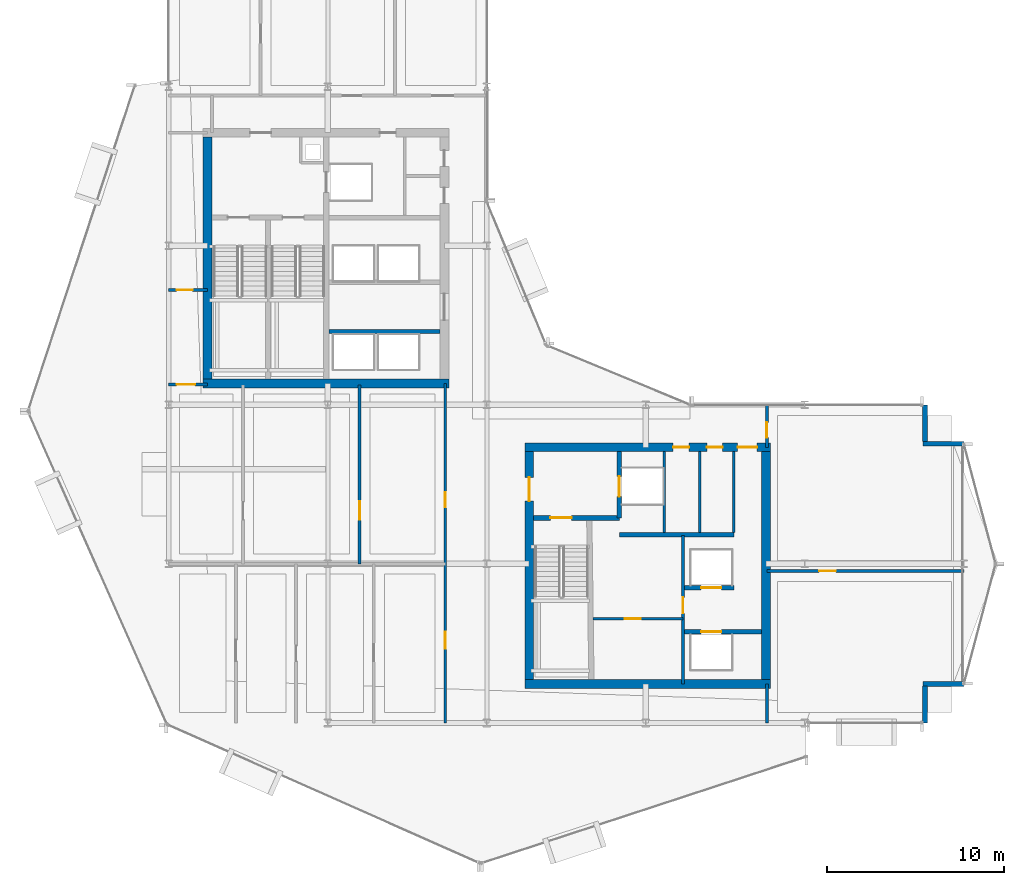
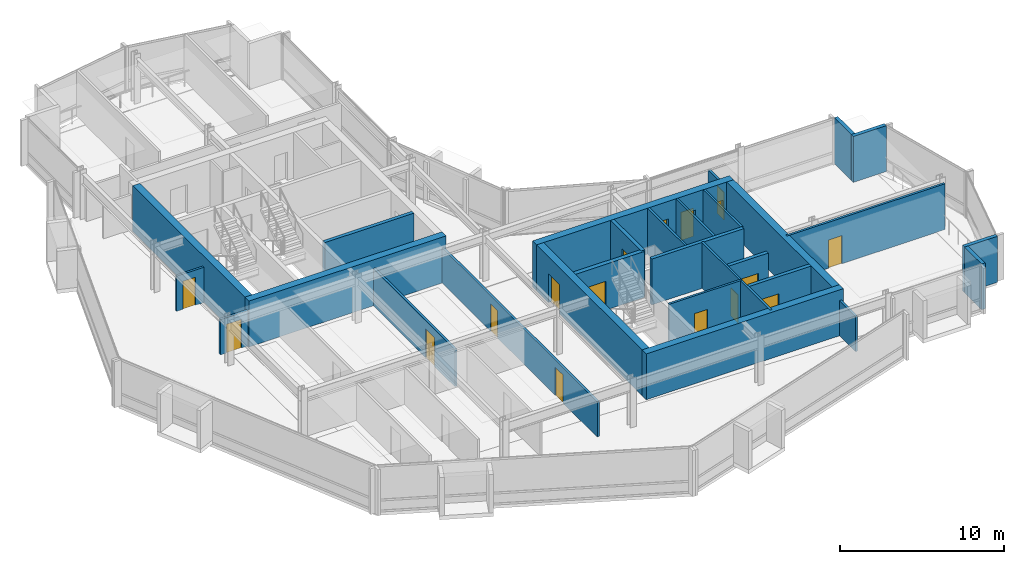
# One storey, part 22 of 28: 28 walls, 17 doors, 17 openings.
"""IFC4 building model written with IfcOpenShell, lengths in metres."""

from ifc_helpers import new_model, si_unit, direction, frame, frame_2d, origin, place, context, subcontext, project, spatial, rectangle, extrude, material, layer, layer_set, type_object, element, fill, save


model = new_model("IFC4")

# Units and contexts
model_context = context("Model", 3, precision=1e-05, world=origin(), true_north=direction((0.0, 1.0)))
body_context = subcontext(model_context, "Body", "Model", "MODEL_VIEW")
ifc_project = project(units=[si_unit("LENGTHUNIT", "METRE"), si_unit("AREAUNIT", "SQUARE_METRE"), si_unit("VOLUMEUNIT", "CUBIC_METRE"), si_unit("PLANEANGLEUNIT", "RADIAN"), si_unit("MASSUNIT", "GRAM", prefix="KILO")], contexts=[model_context])

# Site, building, storey
site_placement = place(None, origin())
site = spatial("IfcSite", under=ifc_project, at=site_placement, CompositionType="ELEMENT")
building_placement = place(site_placement, origin())
building = spatial("IfcBuilding", under=site, at=building_placement, Name="Solvaryn Broadcast Tower", CompositionType="ELEMENT")
storey_placement = place(building_placement, frame((0.0, 0.0, 154.39990234375)))
storey = spatial("IfcBuildingStorey", under=building, at=storey_placement, Name="L38", CompositionType="ELEMENT", Elevation=154.39990234375)

# Walls
ifc_material_1 = material(Name="Concrete f'c 70 MPa", Category="concrete")
ifc_layer_1 = layer(ifc_material_1, 0.5)
ifc_layer_set_1 = layer_set([ifc_layer_1], Name="CW-SHEAR-500")
wall_type_1 = type_object("IfcWallType", Name="CW-SHEAR-500", PredefinedType="SHEAR", material=ifc_layer_set_1)
wall_1_placement = place(storey_placement, frame((10.949951171875, 28.199951171875, 0.0), z_axis=(0.0, 0.0, 1.0), x_axis=(1.0, 0.0, 0.0)))
element("IfcWall", 1, at=wall_1_placement, inside=storey, type_object=wall_type_1, Name="L38 West Core South Shear Wall", PredefinedType="SHEAR", context=body_context, shape_type="SweptSolid", body=[
    extrude(rectangle(XDim=13.900146484375, YDim=0.5, at=frame_2d((6.9501953125, 0.0))), origin(), (0.0, 0.0, 1.0), 3.420166015625),
])
wall_2_placement = place(storey_placement, frame((11.199951171875, 42.14990234375, 0.0), z_axis=(0.0, 0.0, 1.0), x_axis=(0.0, -1.0, 0.0)))
element("IfcWall", 2, at=wall_2_placement, inside=storey, type_object=wall_type_1, Name="L38 West Core West Shear Wall", PredefinedType="SHEAR", context=body_context, shape_type="SweptSolid", body=[
    extrude(rectangle(XDim=13.699951171875, YDim=0.5, at=frame_2d((6.85009765625, 0.0))), origin(), (0.0, 0.0, 1.0), 3.420166015625),
])
wall_3_placement = place(storey_placement, frame((29.14990234375, 11.199951171875, 0.0), z_axis=(0.0, 0.0, 1.0), x_axis=(1.0, 0.0, 0.0)))
element("IfcWall", 3, at=wall_3_placement, inside=storey, type_object=wall_type_1, Name="L38 East Core South Shear Wall", PredefinedType="SHEAR", context=body_context, shape_type="SweptSolid", body=[
    extrude(rectangle(XDim=13.900146484375, YDim=0.5, at=frame_2d((6.9501953125, 0.0))), origin(), (0.0, 0.0, 1.0), 3.420166015625),
])

# Wall, openings, doors
wall_4_placement = place(storey_placement, frame((43.050048828125, 24.60009765625, 0.0), z_axis=(0.0, 0.0, 1.0), x_axis=(-1.0, 0.0, 0.0)))
wall_4 = element("IfcWall", 4, at=wall_4_placement, inside=storey, type_object=wall_type_1, Name="L38 East Core North Shear Wall", PredefinedType="SHEAR", context=body_context, shape_type="SweptSolid", body=[
    extrude(rectangle(XDim=13.900146484375, YDim=0.5, at=frame_2d((6.9501953125, 0.0))), origin(), (0.0, 0.0, 1.0), 3.420166015625),
])
opening_1_placement = place(wall_4_placement, frame((0.75, 0.0, 0.0)))
opening_1 = element("IfcOpeningElement", 5, at=opening_1_placement, cuts=wall_4, Name="Opening FD90C", PredefinedType="OPENING", context=body_context, shape_type="SweptSolid", body=[
    extrude(rectangle(XDim=1.10009765625, YDim=2.14990234375, at=frame_2d((0.550048828125, 1.074951171875))), frame((0.0, 0.260009765625, 0.0), z_axis=(0.0, -1.0, 0.0), x_axis=(1.0, 0.0, 0.0)), (0.0, 0.0, 1.0), 0.52001953125),
])
opening_2_placement = place(wall_4_placement, frame((2.699951171875, 0.0, 0.0)))
opening_2 = element("IfcOpeningElement", 6, at=opening_2_placement, cuts=wall_4, Name="Opening FD60C", PredefinedType="OPENING", context=body_context, shape_type="SweptSolid", body=[
    extrude(rectangle(XDim=0.89990234375, YDim=2.10009765625, at=frame_2d((0.449951171875, 1.050048828125))), frame((0.0, 0.260009765625, 0.0), z_axis=(0.0, -1.0, 0.0), x_axis=(1.0, 0.0, 0.0)), (0.0, 0.0, 1.0), 0.52001953125),
])
opening_3_placement = place(wall_4_placement, frame((4.60009765625, 0.0, 0.0)))
opening_3 = element("IfcOpeningElement", 7, at=opening_3_placement, cuts=wall_4, Name="Opening FD60C", PredefinedType="OPENING", context=body_context, shape_type="SweptSolid", body=[
    extrude(rectangle(XDim=0.89990234375, YDim=2.10009765625, at=frame_2d((0.449951171875, 1.050048828125))), frame((0.0, 0.260009765625, 0.0), z_axis=(0.0, -1.0, 0.0), x_axis=(1.0, 0.0, 0.0)), (0.0, 0.0, 1.0), 0.52001953125),
])
ifc_material_2 = material(Name="Flush Acoustic Steel and Timber Door Assembly", Category="steel")
door_type_1 = type_object("IfcDoorType", Name="FD60-SERV-900X2100", OperationType="NOTDEFINED", PredefinedType="DOOR", material=ifc_material_2)
door_1_placement = place(opening_2_placement, origin())
door_1 = element("IfcDoor", 8, at=door_1_placement, inside=storey, type_object=door_type_1, Name="L38 Staff Restroom Door", OperationType="SINGLE_SWING_LEFT", OverallHeight=2.10009765625, OverallWidth=0.89990234375, PredefinedType="DOOR", context=body_context, shape_type="SweptSolid", body=[
    extrude(rectangle(XDim=0.89990234375, YDim=2.10009765625, at=frame_2d((0.449951171875, 1.050048828125))), frame((0.0, 0.02490234375, 0.0), z_axis=(0.0, -1.0, 0.0), x_axis=(1.0, 0.0, 0.0)), (0.0, 0.0, 1.0), 0.050048828125),
])
fill(opening_2, door_1)
door_2_placement = place(opening_3_placement, origin())
door_2 = element("IfcDoor", 9, at=door_2_placement, inside=storey, type_object=door_type_1, Name="L38 Accessible WC Door", OperationType="SINGLE_SWING_RIGHT", OverallHeight=2.10009765625, OverallWidth=0.89990234375, PredefinedType="DOOR", context=body_context, shape_type="SweptSolid", body=[
    extrude(rectangle(XDim=0.89990234375, YDim=2.10009765625, at=frame_2d((0.449951171875, 1.050048828125))), frame((0.0, 0.02490234375, 0.0), z_axis=(0.0, -1.0, 0.0), x_axis=(1.0, 0.0, 0.0)), (0.0, 0.0, 1.0), 0.050048828125),
])
fill(opening_3, door_2)
ifc_material_3 = material(Name="Flush Acoustic Steel and Timber Door Assembly", Category="steel")
door_type_2 = type_object("IfcDoorType", Name="FD90-PLANT-1100X2150", OperationType="NOTDEFINED", PredefinedType="DOOR", material=ifc_material_3)
door_3_placement = place(opening_1_placement, origin())
door_3 = element("IfcDoor", 10, at=door_3_placement, inside=storey, type_object=door_type_2, Name="L38 East Core Lobby Corridor Door", OperationType="SINGLE_SWING_LEFT", OverallHeight=2.14990234375, OverallWidth=1.10009765625, PredefinedType="DOOR", context=body_context, shape_type="SweptSolid", body=[
    extrude(rectangle(XDim=1.10009765625, YDim=2.14990234375, at=frame_2d((0.550048828125, 1.074951171875))), frame((0.0, 0.02490234375, 0.0), z_axis=(0.0, -1.0, 0.0), x_axis=(1.0, 0.0, 0.0)), (0.0, 0.0, 1.0), 0.050048828125),
])
fill(opening_1, door_3)

# Wall, opening, door
wall_5_placement = place(storey_placement, frame((29.39990234375, 24.35009765625, 0.0), z_axis=(0.0, 0.0, 1.0), x_axis=(0.0, -1.0, 0.0)))
wall_5 = element("IfcWall", 11, at=wall_5_placement, inside=storey, type_object=wall_type_1, Name="L38 East Core West Shear Wall", PredefinedType="SHEAR", context=body_context, shape_type="SweptSolid", body=[
    extrude(rectangle(XDim=12.900146484375, YDim=0.5, at=frame_2d((6.4501953125, 0.0))), origin(), (0.0, 0.0, 1.0), 3.420166015625),
])
opening_4_placement = place(wall_5_placement, frame((1.449951171875, 0.0, 0.0)))
opening_4 = element("IfcOpeningElement", 12, at=opening_4_placement, cuts=wall_5, Name="Opening FD90B", PredefinedType="OPENING", context=body_context, shape_type="SweptSolid", body=[
    extrude(rectangle(XDim=1.35009765625, YDim=2.14990234375, at=frame_2d((0.675048828125, 1.074951171875))), frame((0.0, 0.260009765625, 0.0), z_axis=(0.0, -1.0, 0.0), x_axis=(1.0, 0.0, 0.0)), (0.0, 0.0, 1.0), 0.52001953125),
])
ifc_material_4 = material(Name="Flush Acoustic Steel and Timber Door Assembly", Category="steel")
door_type_3 = type_object("IfcDoorType", Name="FD90-LOBBY-1350X2150", OperationType="NOTDEFINED", PredefinedType="DOOR", material=ifc_material_4)
door_4_placement = place(opening_4_placement, origin())
door_4 = element("IfcDoor", 13, at=door_4_placement, inside=storey, type_object=door_type_3, Name="L38 East FSAE Lobby Door", OperationType="SINGLE_SWING_RIGHT", OverallHeight=2.14990234375, OverallWidth=1.35009765625, PredefinedType="DOOR", context=body_context, shape_type="SweptSolid", body=[
    extrude(rectangle(XDim=1.35009765625, YDim=2.14990234375, at=frame_2d((0.675048828125, 1.074951171875))), frame((0.0, 0.02490234375, 0.0), z_axis=(0.0, -1.0, 0.0), x_axis=(1.0, 0.0, 0.0)), (0.0, 0.0, 1.0), 0.050048828125),
])
fill(opening_4, door_4)

# Walls
wall_6_placement = place(storey_placement, frame((42.800048828125, 11.449951171875, 0.0), z_axis=(0.0, 0.0, 1.0), x_axis=(0.0, 1.0, 0.0)))
element("IfcWall", 14, at=wall_6_placement, inside=storey, type_object=wall_type_1, Name="L38 East Core East Shear Wall", PredefinedType="SHEAR", context=body_context, shape_type="SweptSolid", body=[
    extrude(rectangle(XDim=12.900146484375, YDim=0.5, at=frame_2d((6.4501953125, 0.0))), origin(), (0.0, 0.0, 1.0), 3.420166015625),
])
ifc_material_5 = material(Name="Concrete f'c 50 MPa", Category="concrete")
ifc_layer_2 = layer(ifc_material_5, 0.260009765625)
ifc_layer_set_2 = layer_set([ifc_layer_2], Name="EW-PIER-260")
wall_type_2 = type_object("IfcWallType", Name="EW-PIER-260", PredefinedType="SOLIDWALL", material=ifc_layer_set_2)
wall_7_placement = place(storey_placement, frame((51.800048828125, 9.0, 0.0), z_axis=(0.0, 0.0, 1.0), x_axis=(0.0, 1.0, 0.0)))
element("IfcWall", 15, at=wall_7_placement, inside=storey, type_object=wall_type_2, Name="L38 Notched Corner Pier Wall NSE1", PredefinedType="SOLIDWALL", context=body_context, shape_type="SweptSolid", body=[
    extrude(rectangle(XDim=2.080078125, YDim=0.260009765625, at=frame_2d((1.0400390625, 0.0))), origin(), (0.0, 0.0, 1.0), 3.420166015625),
])
for number, where, z_axis, x_axis, name in (
    (16, (51.679931640625, 11.199951171875, 0.0), (0.0, 0.0, 1.0), (1.0, 0.0, 0.0), "L38 Notched Corner Pier Wall NSE2"),
    (17, (54.0, 24.800048828125, 0.0), (0.0, 0.0, 1.0), (-1.0, 0.0, 0.0), "L38 Notched Corner Pier Wall NEE1"),
):
    element("IfcWall", number, at=place(storey_placement, frame(where, z_axis=z_axis, x_axis=x_axis)), inside=storey, type_object=wall_type_2, Name=name, PredefinedType="SOLIDWALL", context=body_context, shape_type="SweptSolid", body=[
        extrude(rectangle(XDim=2.320068359375, YDim=0.260009765625, at=frame_2d((1.16015625, 0.0))), origin(), (0.0, 0.0, 1.0), 3.420166015625),
    ])
wall_8_placement = place(storey_placement, frame((51.800048828125, 24.919921875, 0.0), z_axis=(0.0, 0.0, 1.0), x_axis=(0.0, 1.0, 0.0)))
element("IfcWall", 18, at=wall_8_placement, inside=storey, type_object=wall_type_2, Name="L38 Notched Corner Pier Wall NEE2", PredefinedType="SOLIDWALL", context=body_context, shape_type="SweptSolid", body=[
    extrude(rectangle(XDim=2.080078125, YDim=0.260009765625, at=frame_2d((1.0400390625, 0.0))), origin(), (0.0, 0.0, 1.0), 3.420166015625),
])

# Wall, opening, door
ifc_material_6 = material(Name="Metal-Stud Service Core Partition")
ifc_layer_3 = layer(ifc_material_6, 0.14990234375)
ifc_layer_set_3 = layer_set([ifc_layer_3], Name="IW-PART-150")
wall_type_3 = type_object("IfcWallType", Name="IW-PART-150", PredefinedType="PARTITIONING", material=ifc_layer_set_3)
wall_9_placement = place(storey_placement, frame((33.0, 14.89990234375, 0.0), z_axis=(0.0, 0.0, 1.0), x_axis=(1.0, 0.0, 0.0)))
wall_9 = element("IfcWall", 19, at=wall_9_placement, inside=storey, type_object=wall_type_3, Name="L38 Interior Partition IW-L38-RPL-H", PredefinedType="PARTITIONING", context=body_context, shape_type="SweptSolid", body=[
    extrude(rectangle(XDim=5.10009765625, YDim=0.14990234375, at=frame_2d((2.550048828125, 0.0))), origin(), (0.0, 0.0, 1.0), 3.420166015625),
])
opening_5_placement = place(wall_9_placement, frame((1.800048828125, 0.0, 0.0)))
opening_5 = element("IfcOpeningElement", 20, at=opening_5_placement, cuts=wall_9, Name="Opening FD60C", PredefinedType="OPENING", context=body_context, shape_type="SweptSolid", body=[
    extrude(rectangle(XDim=0.89990234375, YDim=2.10009765625, at=frame_2d((0.449951171875, 1.050048828125))), frame((0.0, 0.0849609375, 0.0), z_axis=(0.0, -1.0, 0.0), x_axis=(1.0, 0.0, 0.0)), (0.0, 0.0, 1.0), 0.169921875),
])
door_5_placement = place(opening_5_placement, origin())
door_5 = element("IfcDoor", 21, at=door_5_placement, inside=storey, type_object=door_type_1, Name="L38 Door DR-L38-RPL1", OperationType="SINGLE_SWING_LEFT", OverallHeight=2.10009765625, OverallWidth=0.89990234375, PredefinedType="DOOR", context=body_context, shape_type="SweptSolid", body=[
    extrude(rectangle(XDim=0.89990234375, YDim=2.10009765625, at=frame_2d((0.449951171875, 1.050048828125))), frame((0.0, 0.02490234375, 0.0), z_axis=(0.0, -1.0, 0.0), x_axis=(1.0, 0.0, 0.0)), (0.0, 0.0, 1.0), 0.050048828125),
])
fill(opening_5, door_5)

wall_10_placement = place(storey_placement, frame((38.10009765625, 11.199951171875, 0.0), z_axis=(0.0, 0.0, 1.0), x_axis=(0.0, 1.0, 0.0)))
wall_10 = element("IfcWall", 22, at=wall_10_placement, inside=storey, type_object=wall_type_3, Name="L38 Interior Partition IW-L38-RPL-E", PredefinedType="PARTITIONING", context=body_context, shape_type="SweptSolid", body=[
    extrude(rectangle(XDim=8.400146484375, YDim=0.14990234375, at=frame_2d((4.2001953125, 0.0))), origin(), (0.0, 0.0, 1.0), 3.420166015625),
])
opening_6_placement = place(wall_10_placement, frame((4.0, 0.0, 0.0)))
opening_6 = element("IfcOpeningElement", 23, at=opening_6_placement, cuts=wall_10, Name="Opening FD60C", PredefinedType="OPENING", context=body_context, shape_type="SweptSolid", body=[
    extrude(rectangle(XDim=0.89990234375, YDim=2.10009765625, at=frame_2d((0.449951171875, 1.050048828125))), frame((0.0, 0.0849609375, 0.0), z_axis=(0.0, -1.0, 0.0), x_axis=(1.0, 0.0, 0.0)), (0.0, 0.0, 1.0), 0.169921875),
])
door_6_placement = place(opening_6_placement, origin())
door_6 = element("IfcDoor", 24, at=door_6_placement, inside=storey, type_object=door_type_1, Name="L38 Door DR-L38-RPL2", OperationType="SINGLE_SWING_RIGHT", OverallHeight=2.10009765625, OverallWidth=0.89990234375, PredefinedType="DOOR", context=body_context, shape_type="SweptSolid", body=[
    extrude(rectangle(XDim=0.89990234375, YDim=2.10009765625, at=frame_2d((0.449951171875, 1.050048828125))), frame((0.0, 0.02490234375, 0.0), z_axis=(0.0, -1.0, 0.0), x_axis=(1.0, 0.0, 0.0)), (0.0, 0.0, 1.0), 0.050048828125),
])
fill(opening_6, door_6)

# Walls
for number, where, z_axis, x_axis, name in (
    (25, (37.050048828125, 19.780029296875, 0.0), (0.0, 0.0, 1.0), (0.0, 1.0, 0.0), "L38 Interior Partition IW-L38-CE-FL2E"),
    (26, (39.050048828125, 19.780029296875, 0.0), (0.0, 0.0, 1.0), (0.0, 1.0, 0.0), "L38 Interior Partition IW-L38-CE-V1"),
    (27, (40.97998046875, 19.780029296875, 0.0), (0.0, 0.0, 1.0), (0.0, 1.0, 0.0), "L38 Interior Partition IW-L38-CE-V3"),
):
    element("IfcWall", number, at=place(storey_placement, frame(where, z_axis=z_axis, x_axis=x_axis)), inside=storey, type_object=wall_type_3, Name=name, PredefinedType="PARTITIONING", context=body_context, shape_type="SweptSolid", body=[
        extrude(rectangle(XDim=4.570068359375, YDim=0.14990234375, at=frame_2d((2.28515625, 0.0))), origin(), (0.0, 0.0, 1.0), 3.420166015625),
    ])

# Wall, opening, door
wall_11_placement = place(storey_placement, frame((9.0, 33.5, 0.0), z_axis=(0.0, 0.0, 1.0), x_axis=(1.0, 0.0, 0.0)))
wall_11 = element("IfcWall", 28, at=wall_11_placement, inside=storey, type_object=wall_type_3, Name="L38 Interior Partition IW-L38-WM-M", PredefinedType="PARTITIONING", context=body_context, shape_type="SweptSolid", body=[
    extrude(rectangle(XDim=2.199951171875, YDim=0.14990234375, at=frame_2d((1.10009765625, 0.0))), origin(), (0.0, 0.0, 1.0), 2.634033203125),
])
opening_7_placement = place(wall_11_placement, frame((0.449951171875, 0.0, 0.0)))
opening_7 = element("IfcOpeningElement", 29, at=opening_7_placement, cuts=wall_11, Name="Opening FD60C", PredefinedType="OPENING", context=body_context, shape_type="SweptSolid", body=[
    extrude(rectangle(XDim=0.89990234375, YDim=2.10009765625, at=frame_2d((0.449951171875, 1.050048828125))), frame((0.0, 0.0849609375, 0.0), z_axis=(0.0, -1.0, 0.0), x_axis=(1.0, 0.0, 0.0)), (0.0, 0.0, 1.0), 0.169921875),
])
door_7_placement = place(opening_7_placement, origin())
door_7 = element("IfcDoor", 30, at=door_7_placement, inside=storey, type_object=door_type_1, Name="L38 Door DR-L38-WM1", OperationType="SINGLE_SWING_LEFT", OverallHeight=2.10009765625, OverallWidth=0.89990234375, PredefinedType="DOOR", context=body_context, shape_type="SweptSolid", body=[
    extrude(rectangle(XDim=0.89990234375, YDim=2.10009765625, at=frame_2d((0.449951171875, 1.050048828125))), frame((0.0, 0.02490234375, 0.0), z_axis=(0.0, -1.0, 0.0), x_axis=(1.0, 0.0, 0.0)), (0.0, 0.0, 1.0), 0.050048828125),
])
fill(opening_7, door_7)

ifc_material_7 = material(Name="Metal-Stud Gypsum Office Partition")
ifc_layer_4 = layer(ifc_material_7, 0.159912109375)
ifc_layer_set_4 = layer_set([ifc_layer_4], Name="IW-PART-160")
wall_type_4 = type_object("IfcWallType", Name="IW-PART-160", PredefinedType="PARTITIONING", material=ifc_layer_set_4)
wall_12_placement = place(storey_placement, frame((9.0, 28.14990234375, 0.0), z_axis=(0.0, 0.0, 1.0), x_axis=(1.0, 0.0, 0.0)))
wall_12 = element("IfcWall", 31, at=wall_12_placement, inside=storey, type_object=wall_type_4, Name="L38 Interior Partition IW-L38-WM-S", PredefinedType="PARTITIONING", context=body_context, shape_type="SweptSolid", body=[
    extrude(rectangle(XDim=2.199951171875, YDim=0.159912109375, at=frame_2d((1.10009765625, 0.0))), origin(), (0.0, 0.0, 1.0), 2.634033203125),
])
opening_8_placement = place(wall_12_placement, frame((0.449951171875, 0.0, 0.0)))
opening_8 = element("IfcOpeningElement", 32, at=opening_8_placement, cuts=wall_12, Name="Opening ID03", PredefinedType="OPENING", context=body_context, shape_type="SweptSolid", body=[
    extrude(rectangle(XDim=1.050048828125, YDim=2.14990234375, at=frame_2d((0.52490234375, 1.074951171875))), frame((0.0, 0.090087890625, 0.0), z_axis=(0.0, -1.0, 0.0), x_axis=(1.0, 0.0, 0.0)), (0.0, 0.0, 1.0), 0.179931640625),
])
ifc_material_8 = material(Name="Flush Acoustic Steel and Timber Door Assembly", Category="steel")
door_type_4 = type_object("IfcDoorType", Name="ID-03-1050X2150", OperationType="NOTDEFINED", PredefinedType="DOOR", material=ifc_material_8)
door_8_placement = place(opening_8_placement, origin())
door_8 = element("IfcDoor", 33, at=door_8_placement, inside=storey, type_object=door_type_4, Name="L38 Door DR-L38-WM0", OperationType="SINGLE_SWING_RIGHT", OverallHeight=2.14990234375, OverallWidth=1.050048828125, PredefinedType="DOOR", context=body_context, shape_type="SweptSolid", body=[
    extrude(rectangle(XDim=1.050048828125, YDim=2.14990234375, at=frame_2d((0.52490234375, 1.074951171875))), frame((0.0, 0.02490234375, 0.0), z_axis=(0.0, -1.0, 0.0), x_axis=(1.0, 0.0, 0.0)), (0.0, 0.0, 1.0), 0.050048828125),
])
fill(opening_8, door_8)

# Wall, openings, doors
wall_13_placement = place(storey_placement, frame((24.64990234375, 9.0, 0.0), z_axis=(0.0, 0.0, 1.0), x_axis=(0.0, 1.0, 0.0)))
wall_13 = element("IfcWall", 34, at=wall_13_placement, inside=storey, type_object=wall_type_4, Name="L38 Interior Partition IW-L38-SW-EB", PredefinedType="PARTITIONING", context=body_context, shape_type="SweptSolid", body=[
    extrude(rectangle(XDim=19.199951171875, YDim=0.159912109375, at=frame_2d((9.60009765625, 0.0))), origin(), (0.0, 0.0, 1.0), 2.634033203125),
])
opening_9_placement = place(wall_13_placement, frame((12.199951171875, 0.0, 0.0)))
opening_9 = element("IfcOpeningElement", 35, at=opening_9_placement, cuts=wall_13, Name="Opening ID07", PredefinedType="OPENING", context=body_context, shape_type="SweptSolid", body=[
    extrude(rectangle(XDim=0.860107421875, YDim=2.050048828125, at=frame_2d((0.43017578125, 1.02490234375))), frame((0.0, 0.090087890625, 0.0), z_axis=(0.0, -1.0, 0.0), x_axis=(1.0, 0.0, 0.0)), (0.0, 0.0, 1.0), 0.179931640625),
])
opening_10_placement = place(wall_13_placement, frame((4.199951171875, 0.0, 0.0)))
opening_10 = element("IfcOpeningElement", 36, at=opening_10_placement, cuts=wall_13, Name="Opening ID01", PredefinedType="OPENING", context=body_context, shape_type="SweptSolid", body=[
    extrude(rectangle(XDim=0.949951171875, YDim=2.10009765625, at=frame_2d((0.47509765625, 1.050048828125))), frame((0.0, 0.090087890625, 0.0), z_axis=(0.0, -1.0, 0.0), x_axis=(1.0, 0.0, 0.0)), (0.0, 0.0, 1.0), 0.179931640625),
])
ifc_material_9 = material(Name="Flush Acoustic Steel and Timber Door Assembly", Category="steel")
door_type_5 = type_object("IfcDoorType", Name="ID-01-950X2100", OperationType="NOTDEFINED", PredefinedType="DOOR", material=ifc_material_9)
door_9_placement = place(opening_10_placement, origin())
door_9 = element("IfcDoor", 37, at=door_9_placement, inside=storey, type_object=door_type_5, Name="L38 Door DR-L38-SW-ES", OperationType="SINGLE_SWING_LEFT", OverallHeight=2.10009765625, OverallWidth=0.949951171875, PredefinedType="DOOR", context=body_context, shape_type="SweptSolid", body=[
    extrude(rectangle(XDim=0.949951171875, YDim=2.10009765625, at=frame_2d((0.47509765625, 1.050048828125))), frame((0.0, 0.02490234375, 0.0), z_axis=(0.0, -1.0, 0.0), x_axis=(1.0, 0.0, 0.0)), (0.0, 0.0, 1.0), 0.050048828125),
])
fill(opening_10, door_9)
ifc_material_10 = material(Name="Flush Acoustic Steel and Timber Door Assembly", Category="steel")
door_type_6 = type_object("IfcDoorType", Name="ID-07-860X2050", OperationType="NOTDEFINED", PredefinedType="DOOR", material=ifc_material_10)
door_10_placement = place(opening_9_placement, origin())
door_10 = element("IfcDoor", 38, at=door_10_placement, inside=storey, type_object=door_type_6, Name="L38 Door DR-L38-SW-EN", OperationType="SINGLE_SWING_RIGHT", OverallHeight=2.050048828125, OverallWidth=0.860107421875, PredefinedType="DOOR", context=body_context, shape_type="SweptSolid", body=[
    extrude(rectangle(XDim=0.860107421875, YDim=2.050048828125, at=frame_2d((0.43017578125, 1.02490234375))), frame((0.0, 0.02490234375, 0.0), z_axis=(0.0, -1.0, 0.0), x_axis=(1.0, 0.0, 0.0)), (0.0, 0.0, 1.0), 0.050048828125),
])
fill(opening_9, door_10)

# Wall, opening, door
wall_14_placement = place(storey_placement, frame((19.800048828125, 18.0, 0.0), z_axis=(0.0, 0.0, 1.0), x_axis=(0.0, 1.0, 0.0)))
wall_14 = element("IfcWall", 39, at=wall_14_placement, inside=storey, type_object=wall_type_4, Name="L38 Interior Partition IW-L38-SWN-V2", PredefinedType="PARTITIONING", context=body_context, shape_type="SweptSolid", body=[
    extrude(rectangle(XDim=10.1298828125, YDim=0.159912109375, at=frame_2d((5.06494140625, 0.0))), origin(), (0.0, 0.0, 1.0), 2.7890625),
])
opening_11_placement = place(wall_14_placement, frame((2.5, 0.0, 0.0)))
opening_11 = element("IfcOpeningElement", 40, at=opening_11_placement, cuts=wall_14, Name="Opening ID03", PredefinedType="OPENING", context=body_context, shape_type="SweptSolid", body=[
    extrude(rectangle(XDim=1.050048828125, YDim=2.14990234375, at=frame_2d((0.52490234375, 1.074951171875))), frame((0.0, 0.090087890625, 0.0), z_axis=(0.0, -1.0, 0.0), x_axis=(1.0, 0.0, 0.0)), (0.0, 0.0, 1.0), 0.179931640625),
])
door_11_placement = place(opening_11_placement, origin())
door_11 = element("IfcDoor", 41, at=door_11_placement, inside=storey, type_object=door_type_4, Name="L38 Door DR-L38-SWN-2", OperationType="SINGLE_SWING_LEFT", OverallHeight=2.14990234375, OverallWidth=1.050048828125, PredefinedType="DOOR", context=body_context, shape_type="SweptSolid", body=[
    extrude(rectangle(XDim=1.050048828125, YDim=2.14990234375, at=frame_2d((0.52490234375, 1.074951171875))), frame((0.0, 0.02490234375, 0.0), z_axis=(0.0, -1.0, 0.0), x_axis=(1.0, 0.0, 0.0)), (0.0, 0.0, 1.0), 0.050048828125),
])
fill(opening_11, door_11)

# Wall
wall_15_placement = place(storey_placement, frame((42.85009765625, 9.0, 0.0), z_axis=(0.0, 0.0, 1.0), x_axis=(0.0, 1.0, 0.0)))
element("IfcWall", 42, at=wall_15_placement, inside=storey, type_object=wall_type_4, Name="L38 Interior Partition IW-L38-SC-E", PredefinedType="PARTITIONING", context=body_context, shape_type="SweptSolid", body=[
    extrude(rectangle(XDim=2.199951171875, YDim=0.159912109375, at=frame_2d((1.10009765625, 0.0))), origin(), (0.0, 0.0, 1.0), 2.634033203125),
])

# Wall, opening, door
wall_16_placement = place(storey_placement, frame((42.85009765625, 24.60009765625, 0.0), z_axis=(0.0, 0.0, 1.0), x_axis=(0.0, 1.0, 0.0)))
wall_16 = element("IfcWall", 43, at=wall_16_placement, inside=storey, type_object=wall_type_4, Name="L38 Interior Partition IW-L38-EW-BN", PredefinedType="PARTITIONING", context=body_context, shape_type="SweptSolid", body=[
    extrude(rectangle(XDim=2.39990234375, YDim=0.159912109375, at=frame_2d((1.199951171875, 0.0))), origin(), (0.0, 0.0, 1.0), 2.634033203125),
])
opening_12_placement = place(wall_16_placement, frame((0.550048828125, 0.0, 0.0)))
opening_12 = element("IfcOpeningElement", 44, at=opening_12_placement, cuts=wall_16, Name="Opening ID07", PredefinedType="OPENING", context=body_context, shape_type="SweptSolid", body=[
    extrude(rectangle(XDim=0.860107421875, YDim=2.050048828125, at=frame_2d((0.43017578125, 1.02490234375))), frame((0.0, 0.090087890625, 0.0), z_axis=(0.0, -1.0, 0.0), x_axis=(1.0, 0.0, 0.0)), (0.0, 0.0, 1.0), 0.179931640625),
])
door_12_placement = place(opening_12_placement, origin())
door_12 = element("IfcDoor", 45, at=door_12_placement, inside=storey, type_object=door_type_6, Name="L38 Door DR-L38-EW0", OperationType="SINGLE_SWING_RIGHT", OverallHeight=2.050048828125, OverallWidth=0.860107421875, PredefinedType="DOOR", context=body_context, shape_type="SweptSolid", body=[
    extrude(rectangle(XDim=0.860107421875, YDim=2.050048828125, at=frame_2d((0.43017578125, 1.02490234375))), frame((0.0, 0.02490234375, 0.0), z_axis=(0.0, -1.0, 0.0), x_axis=(1.0, 0.0, 0.0)), (0.0, 0.0, 1.0), 0.050048828125),
])
fill(opening_12, door_12)

wall_17_placement = place(storey_placement, frame((42.85009765625, 17.60009765625, 0.0), z_axis=(0.0, 0.0, 1.0), x_axis=(1.0, 0.0, 0.0)))
wall_17 = element("IfcWall", 46, at=wall_17_placement, inside=storey, type_object=wall_type_4, Name="L38 Interior Partition IW-L38-EW-H1", PredefinedType="PARTITIONING", context=body_context, shape_type="SweptSolid", body=[
    extrude(rectangle(XDim=11.14990234375, YDim=0.159912109375, at=frame_2d((5.574951171875, 0.0))), origin(), (0.0, 0.0, 1.0), 3.420166015625),
])
opening_13_placement = place(wall_17_placement, frame((2.949951171875, 0.0, 0.0)))
opening_13 = element("IfcOpeningElement", 47, at=opening_13_placement, cuts=wall_17, Name="Opening ID01", PredefinedType="OPENING", context=body_context, shape_type="SweptSolid", body=[
    extrude(rectangle(XDim=0.949951171875, YDim=2.10009765625, at=frame_2d((0.47509765625, 1.050048828125))), frame((0.0, 0.090087890625, 0.0), z_axis=(0.0, -1.0, 0.0), x_axis=(1.0, 0.0, 0.0)), (0.0, 0.0, 1.0), 0.179931640625),
])
door_13_placement = place(opening_13_placement, origin())
door_13 = element("IfcDoor", 48, at=door_13_placement, inside=storey, type_object=door_type_5, Name="L38 Door DR-L38-EW-1", OperationType="SINGLE_SWING_LEFT", OverallHeight=2.10009765625, OverallWidth=0.949951171875, PredefinedType="DOOR", context=body_context, shape_type="SweptSolid", body=[
    extrude(rectangle(XDim=0.949951171875, YDim=2.10009765625, at=frame_2d((0.47509765625, 1.050048828125))), frame((0.0, 0.02490234375, 0.0), z_axis=(0.0, -1.0, 0.0), x_axis=(1.0, 0.0, 0.0)), (0.0, 0.0, 1.0), 0.050048828125),
])
fill(opening_13, door_13)

# Wall
ifc_material_11 = material(Name="Concrete f'c 60 MPa", Category="concrete")
ifc_layer_5 = layer(ifc_material_11, 0.25)
ifc_layer_set_5 = layer_set([ifc_layer_5], Name="SW-SHAFT-250")
wall_type_5 = type_object("IfcWallType", Name="SW-SHAFT-250", PredefinedType="PARTITIONING", material=ifc_layer_set_5)
wall_18_placement = place(storey_placement, frame((18.070068359375, 31.14990234375, 0.0), z_axis=(0.0, 0.0, 1.0), x_axis=(1.0, 0.0, 0.0)))
element("IfcWall", 49, at=wall_18_placement, inside=storey, type_object=wall_type_5, Name="L38 High-Rise Lift Bank South Wall", PredefinedType="PARTITIONING", context=body_context, shape_type="SweptSolid", body=[
    extrude(rectangle(XDim=6.280029296875, YDim=0.25, at=frame_2d((3.14013671875, 0.0))), origin(), (0.0, 0.0, 1.0), 3.420166015625),
])

# Wall, opening, door
wall_19_placement = place(storey_placement, frame((34.5, 20.60009765625, 0.0), z_axis=(0.0, 0.0, 1.0), x_axis=(0.0, 1.0, 0.0)))
wall_19 = element("IfcWall", 50, at=wall_19_placement, inside=storey, type_object=wall_type_5, Name="L38 East FSAE Lobby East Wall", PredefinedType="PARTITIONING", context=body_context, shape_type="SweptSolid", body=[
    extrude(rectangle(XDim=3.75, YDim=0.25, at=frame_2d((1.875, 0.0))), origin(), (0.0, 0.0, 1.0), 3.420166015625),
])
opening_14_placement = place(wall_19_placement, frame((1.199951171875, 0.0, 0.0)))
opening_14 = element("IfcOpeningElement", 51, at=opening_14_placement, cuts=wall_19, Name="Opening LD01", PredefinedType="OPENING", context=body_context, shape_type="SweptSolid", body=[
    extrude(rectangle(XDim=1.14990234375, YDim=2.14990234375, at=frame_2d((0.574951171875, 1.074951171875))), frame((0.0, 0.135009765625, 0.0), z_axis=(0.0, -1.0, 0.0), x_axis=(1.0, 0.0, 0.0)), (0.0, 0.0, 1.0), 0.27001953125),
])
ifc_material_12 = material(Name="Flush Acoustic Steel and Timber Door Assembly", Category="steel")
door_type_7 = type_object("IfcDoorType", Name="LD-LIFT-1150X2150", OperationType="NOTDEFINED", PredefinedType="DOOR", material=ifc_material_12)
door_14_placement = place(opening_14_placement, origin())
door_14 = element("IfcDoor", 52, at=door_14_placement, inside=storey, type_object=door_type_7, Name="L38 FL2 Lift Landing Door", OperationType="DOUBLE_DOOR_SLIDING", OverallHeight=2.14990234375, OverallWidth=1.14990234375, PredefinedType="DOOR", context=body_context, shape_type="SweptSolid", body=[
    extrude(rectangle(XDim=1.14990234375, YDim=2.14990234375, at=frame_2d((0.574951171875, 1.074951171875))), frame((0.0, 0.02490234375, 0.0), z_axis=(0.0, -1.0, 0.0), x_axis=(1.0, 0.0, 0.0)), (0.0, 0.0, 1.0), 0.050048828125),
])
fill(opening_14, door_14)

# Wall
wall_20_placement = place(storey_placement, frame((34.5, 19.64990234375, 0.0), z_axis=(0.0, 0.0, 1.0), x_axis=(1.0, 0.0, 0.0)))
element("IfcWall", 53, at=wall_20_placement, inside=storey, type_object=wall_type_5, Name="L38 East Core Restroom South Wall", PredefinedType="PARTITIONING", context=body_context, shape_type="SweptSolid", body=[
    extrude(rectangle(XDim=6.47998046875, YDim=0.25, at=frame_2d((3.239990234375, 0.0))), origin(), (0.0, 0.0, 1.0), 3.420166015625),
])

# Wall, opening, door
wall_21_placement = place(storey_placement, frame((38.199951171875, 14.14990234375, 0.0), z_axis=(0.0, 0.0, 1.0), x_axis=(1.0, 0.0, 0.0)))
wall_21 = element("IfcWall", 54, at=wall_21_placement, inside=storey, type_object=wall_type_5, Name="L38 East Lift Bank South Wall", PredefinedType="PARTITIONING", context=body_context, shape_type="SweptSolid", body=[
    extrude(rectangle(XDim=4.35009765625, YDim=0.25, at=frame_2d((2.175048828125, 0.0))), origin(), (0.0, 0.0, 1.0), 3.420166015625),
])
opening_15_placement = place(wall_21_placement, frame((0.925048828125, 0.0, 0.0)))
opening_15 = element("IfcOpeningElement", 55, at=opening_15_placement, cuts=wall_21, Name="Opening LD01", PredefinedType="OPENING", context=body_context, shape_type="SweptSolid", body=[
    extrude(rectangle(XDim=1.14990234375, YDim=2.14990234375, at=frame_2d((0.574951171875, 1.074951171875))), frame((0.0, 0.135009765625, 0.0), z_axis=(0.0, -1.0, 0.0), x_axis=(1.0, 0.0, 0.0)), (0.0, 0.0, 1.0), 0.27001953125),
])
door_15_placement = place(opening_15_placement, origin())
door_15 = element("IfcDoor", 56, at=door_15_placement, inside=storey, type_object=door_type_7, Name="L38 PM1 Lift Landing Door", OperationType="DOUBLE_DOOR_SLIDING", OverallHeight=2.14990234375, OverallWidth=1.14990234375, PredefinedType="DOOR", context=body_context, shape_type="SweptSolid", body=[
    extrude(rectangle(XDim=1.14990234375, YDim=2.14990234375, at=frame_2d((0.574951171875, 1.074951171875))), frame((0.0, 0.02490234375, 0.0), z_axis=(0.0, -1.0, 0.0), x_axis=(1.0, 0.0, 0.0)), (0.0, 0.0, 1.0), 0.050048828125),
])
fill(opening_15, door_15)

wall_22_placement = place(storey_placement, frame((40.97998046875, 16.64990234375, 0.0), z_axis=(0.0, 0.0, 1.0), x_axis=(-1.0, 0.0, 0.0)))
wall_22 = element("IfcWall", 57, at=wall_22_placement, inside=storey, type_object=wall_type_5, Name="L38 East Lift Bank North Wall", PredefinedType="PARTITIONING", context=body_context, shape_type="SweptSolid", body=[
    extrude(rectangle(XDim=2.780029296875, YDim=0.25, at=frame_2d((1.39013671875, 0.0))), origin(), (0.0, 0.0, 1.0), 3.420166015625),
])
opening_16_placement = place(wall_22_placement, frame((0.705078125, 0.0, 0.0)))
opening_16 = element("IfcOpeningElement", 58, at=opening_16_placement, cuts=wall_22, Name="Opening LD01", PredefinedType="OPENING", context=body_context, shape_type="SweptSolid", body=[
    extrude(rectangle(XDim=1.14990234375, YDim=2.14990234375, at=frame_2d((0.574951171875, 1.074951171875))), frame((0.0, 0.135009765625, 0.0), z_axis=(0.0, -1.0, 0.0), x_axis=(1.0, 0.0, 0.0)), (0.0, 0.0, 1.0), 0.27001953125),
])
door_16_placement = place(opening_16_placement, origin())
door_16 = element("IfcDoor", 59, at=door_16_placement, inside=storey, type_object=door_type_7, Name="L38 PM2 Lift Landing Door", OperationType="DOUBLE_DOOR_SLIDING", OverallHeight=2.14990234375, OverallWidth=1.14990234375, PredefinedType="DOOR", context=body_context, shape_type="SweptSolid", body=[
    extrude(rectangle(XDim=1.14990234375, YDim=2.14990234375, at=frame_2d((0.574951171875, 1.074951171875))), frame((0.0, 0.02490234375, 0.0), z_axis=(0.0, -1.0, 0.0), x_axis=(1.0, 0.0, 0.0)), (0.0, 0.0, 1.0), 0.050048828125),
])
fill(opening_16, door_16)

ifc_material_13 = material(Name="Concrete f'c 70 MPa", Category="concrete")
ifc_layer_6 = layer(ifc_material_13, 0.300048828125)
ifc_layer_set_6 = layer_set([ifc_layer_6], Name="SW-SHAFT-300")
wall_type_6 = type_object("IfcWallType", Name="SW-SHAFT-300", PredefinedType="SHEAR", material=ifc_layer_set_6)
wall_23_placement = place(storey_placement, frame((34.5, 20.60009765625, 0.0), z_axis=(0.0, 0.0, 1.0), x_axis=(-1.0, 0.0, 0.0)))
wall_23 = element("IfcWall", 60, at=wall_23_placement, inside=storey, type_object=wall_type_6, Name="L38 East FSAE Lobby South Wall", PredefinedType="SHEAR", context=body_context, shape_type="SweptSolid", body=[
    extrude(rectangle(XDim=4.85009765625, YDim=0.300048828125, at=frame_2d((2.425048828125, 0.0))), origin(), (0.0, 0.0, 1.0), 3.420166015625),
])
opening_17_placement = place(wall_23_placement, frame((2.699951171875, 0.0, 0.0)))
opening_17 = element("IfcOpeningElement", 61, at=opening_17_placement, cuts=wall_23, Name="Opening FD90A", PredefinedType="OPENING", context=body_context, shape_type="SweptSolid", body=[
    extrude(rectangle(XDim=1.199951171875, YDim=2.14990234375, at=frame_2d((0.60009765625, 1.074951171875))), frame((0.0, 0.159912109375, 0.0), z_axis=(0.0, -1.0, 0.0), x_axis=(1.0, 0.0, 0.0)), (0.0, 0.0, 1.0), 0.320068359375),
])
ifc_material_14 = material(Name="Flush Acoustic Steel and Timber Door Assembly", Category="steel")
door_type_8 = type_object("IfcDoorType", Name="FD90-STAIR-1200X2150", OperationType="NOTDEFINED", PredefinedType="DOOR", material=ifc_material_14)
door_17_placement = place(opening_17_placement, origin())
door_17 = element("IfcDoor", 62, at=door_17_placement, inside=storey, type_object=door_type_8, Name="L38 Stair 3 Fire Door", OperationType="SINGLE_SWING_LEFT", OverallHeight=2.14990234375, OverallWidth=1.199951171875, PredefinedType="DOOR", context=body_context, shape_type="SweptSolid", body=[
    extrude(rectangle(XDim=1.199951171875, YDim=2.14990234375, at=frame_2d((0.60009765625, 1.074951171875))), frame((0.0, 0.02490234375, 0.0), z_axis=(0.0, -1.0, 0.0), x_axis=(1.0, 0.0, 0.0)), (0.0, 0.0, 1.0), 0.050048828125),
])
fill(opening_17, door_17)

save(model, "model.ifc")
